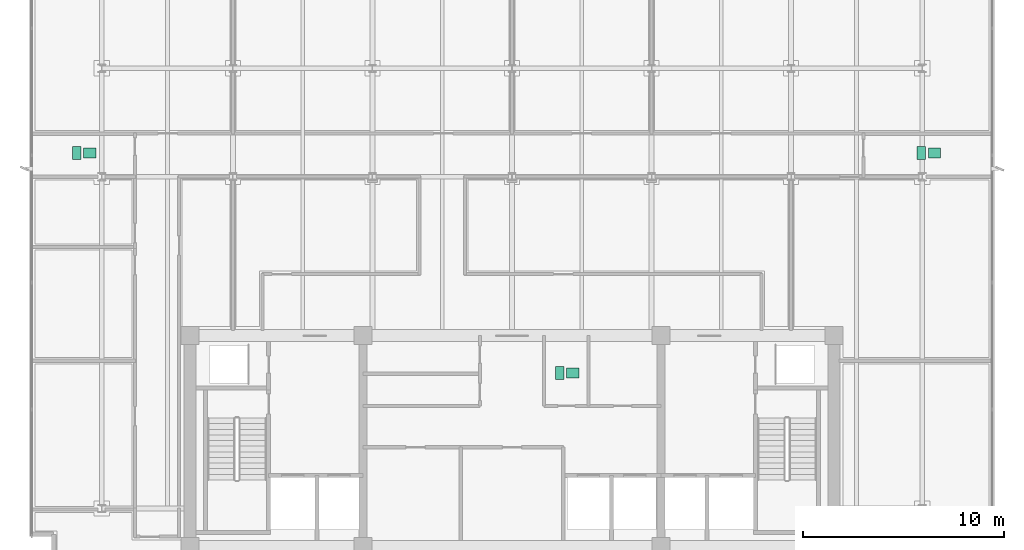
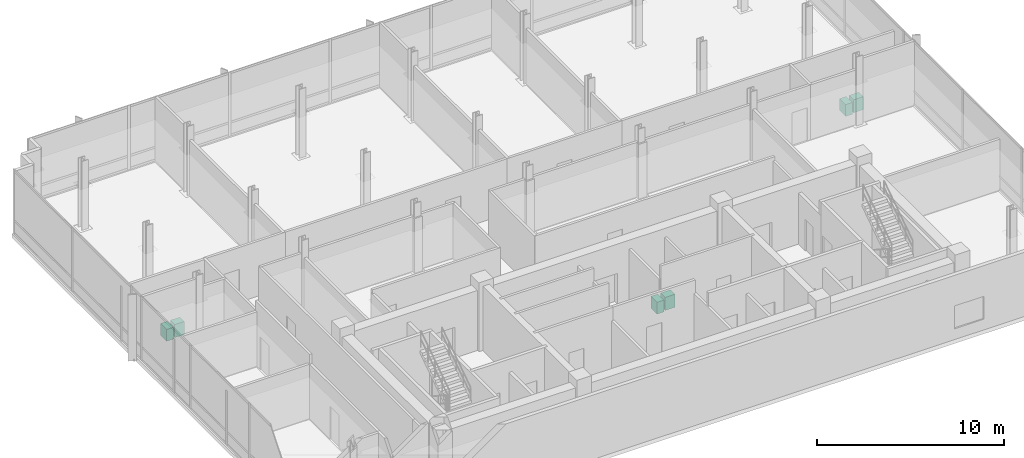
# One storey, part 17 of 17: 6 sanitary terminals.
"""IFC4 building model written with IfcOpenShell, lengths in metres."""

from ifc_helpers import new_model, si_unit, direction, frame, origin, origin_2d, place, context, subcontext, project, spatial, rectangle, extrude, material, type_object, element, save


model = new_model("IFC4")

# Units and contexts
model_context = context("Model", 3, precision=1e-05, world=origin(), true_north=direction((0.0, 1.0)))
body_context = subcontext(model_context, "Body", "Model", "MODEL_VIEW")
ifc_project = project(units=[si_unit("LENGTHUNIT", "METRE"), si_unit("AREAUNIT", "SQUARE_METRE"), si_unit("VOLUMEUNIT", "CUBIC_METRE"), si_unit("PLANEANGLEUNIT", "RADIAN"), si_unit("MASSUNIT", "GRAM", prefix="KILO")], contexts=[model_context])

# Site, building, storey
site_placement = place(None, origin())
site = spatial("IfcSite", under=ifc_project, at=site_placement, CompositionType="ELEMENT")
building_placement = place(site_placement, origin())
building = spatial("IfcBuilding", under=site, at=building_placement, Name="Solmavex Isthmus Hotel", CompositionType="ELEMENT")
storey_placement = place(building_placement, frame((0.0, 0.0, 286.800048828125)))
storey = spatial("IfcBuildingStorey", under=building, at=storey_placement, Name="L78", CompositionType="ELEMENT", Elevation=286.800048828125)

# Sanitary terminals
ifc_material = material(Name="Vitreous china ceramic", Category="ceramic")
sanitary_terminal_type_1 = type_object("IfcSanitaryTerminalType", Name="SAN-BASIN", PredefinedType="WASHHANDBASIN", material=ifc_material)
for number, where, z_axis, x_axis, name in (
    (1, (3.02001953125, -4.360107421875, 0.0), (0.0, 0.0, 1.0), (1.0, 0.0, 0.0), "Vanity Washbasin L78-388"),
    (2, (-20.9951171875, 6.577392578125, 0.0), (0.0, 0.0, 1.0), (1.0, 0.0, 0.0), "Vanity Washbasin L78-389"),
    (3, (20.99609375, 6.577392578125, 0.0), (0.0, 0.0, 1.0), (1.0, 0.0, 0.0), "Vanity Washbasin L78-390"),
):
    element("IfcSanitaryTerminal", number, at=place(storey_placement, frame(where, z_axis=z_axis, x_axis=x_axis)), inside=storey, type_object=sanitary_terminal_type_1, Name=name, PredefinedType="WASHHANDBASIN", context=body_context, shape_type="SweptSolid", body=[
        extrude(rectangle(XDim=0.60009765625, YDim=0.47998046875, at=origin_2d()), origin(), (0.0, 0.0, 1.0), 0.85009765625),
    ])
sanitary_terminal_type_2 = type_object("IfcSanitaryTerminalType", Name="SAN-WC-SUITE", PredefinedType="TOILETPAN", material=ifc_material)
for number, where, z_axis, x_axis, name in (
    (4, (2.3798828125, -4.360107421875, 0.0), (0.0, 0.0, 1.0), (1.0, 0.0, 0.0), "Water Closet L78-388"),
    (5, (-21.635009765625, 6.577392578125, 0.0), (0.0, 0.0, 1.0), (1.0, 0.0, 0.0), "Water Closet L78-389"),
    (6, (20.35595703125, 6.577392578125, 0.0), (0.0, 0.0, 1.0), (1.0, 0.0, 0.0), "Water Closet L78-390"),
):
    element("IfcSanitaryTerminal", number, at=place(storey_placement, frame(where, z_axis=z_axis, x_axis=x_axis)), inside=storey, type_object=sanitary_terminal_type_2, Name=name, PredefinedType="TOILETPAN", context=body_context, shape_type="SweptSolid", body=[
        extrude(rectangle(XDim=0.419921875, YDim=0.64990234375, at=origin_2d()), origin(), (0.0, 0.0, 1.0), 0.780029296875),
    ])

save(model, "model.ifc")
